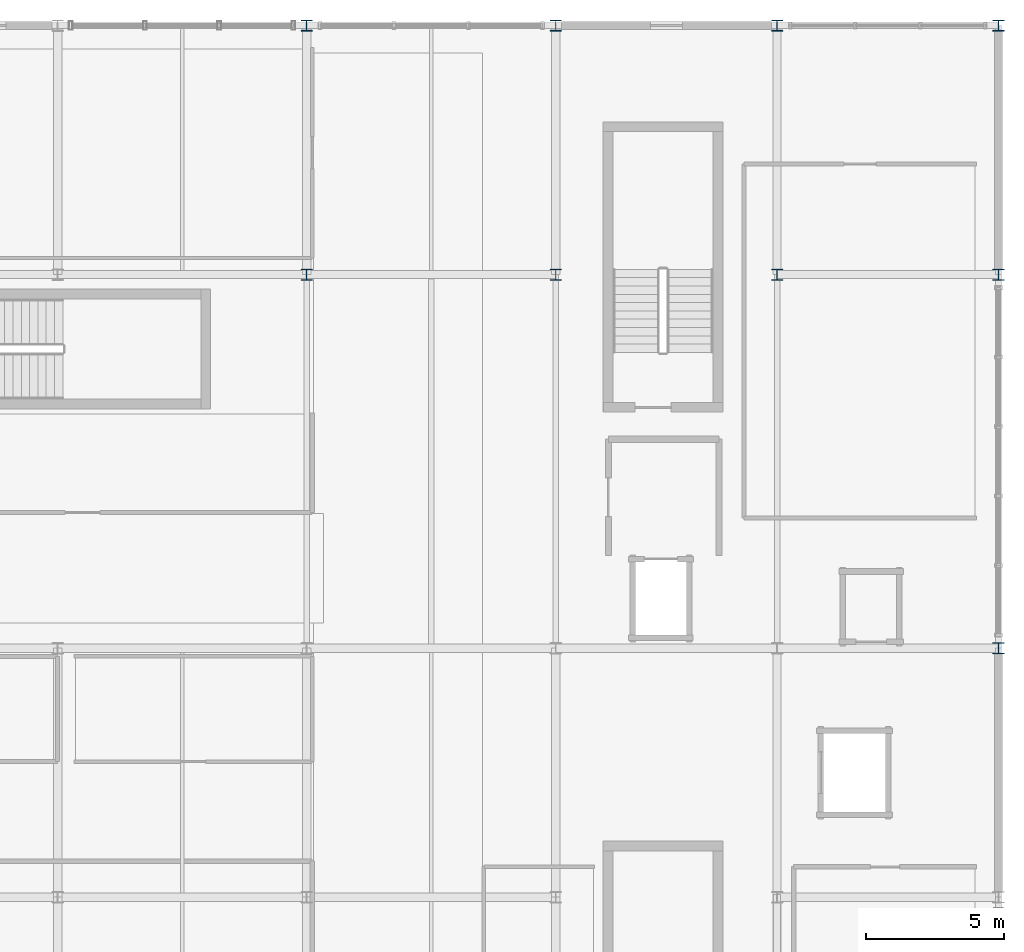
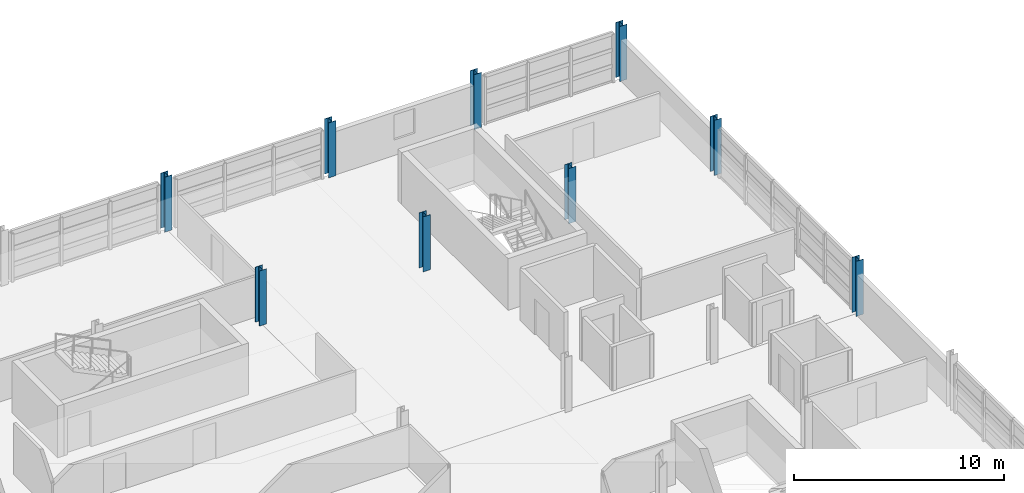
# One storey, part 6 of 86: 9 columns.
"""IFC4 building model written with IfcOpenShell, lengths in metres."""

from ifc_helpers import new_model, si_unit, direction, frame, origin, origin_2d, place, context, subcontext, project, spatial, i_section, extrude, material, material_profile, profile_set, type_object, element, save


model = new_model("IFC4")

# Units and contexts
model_context = context("Model", 3, precision=1e-05, world=origin(), true_north=direction((0.0, 1.0)))
body_context = subcontext(model_context, "Body", "Model", "MODEL_VIEW")
ifc_project = project(units=[si_unit("LENGTHUNIT", "METRE"), si_unit("AREAUNIT", "SQUARE_METRE"), si_unit("VOLUMEUNIT", "CUBIC_METRE"), si_unit("PLANEANGLEUNIT", "RADIAN"), si_unit("MASSUNIT", "GRAM", prefix="KILO")], contexts=[model_context])

# Site, building, storey
site_placement = place(None, origin())
site = spatial("IfcSite", under=ifc_project, at=site_placement, CompositionType="ELEMENT")
building_placement = place(site_placement, origin())
building = spatial("IfcBuilding", under=site, at=building_placement, Name="Chuanluo Vaults Station", CompositionType="ELEMENT")
storey_placement = place(building_placement, frame((0.0, 0.0, 14.39990234375)))
storey = spatial("IfcBuildingStorey", under=building, at=storey_placement, Name="L03", CompositionType="ELEMENT", Elevation=14.39990234375)

# Columns
ifc_material = material(Name="Steel Q355C", Category="steel")
ifc_material_profile = material_profile(ifc_material, i_section(OverallWidth=0.39990234375, OverallDepth=0.39990234375, WebThickness=0.012939453125, FlangeThickness=0.02099609375, FilletRadius=0.02197265625, at=origin_2d()))
ifc_profile_set = profile_set([ifc_material_profile], Name="Steel Q355C")
column_type = type_object("IfcColumnType", Name="COL-STL-HW400", PredefinedType="COLUMN", material=ifc_profile_set)
for number, where, z_axis, x_axis, name in (
    (1, (163.0, 117.0, 0.0), (0.0, 0.0, 1.0), (1.0, 0.0, 0.0), "Column L03-134"),
    (2, (163.0, 126.0, 0.0), (0.0, 0.0, 1.0), (1.0, 0.0, 0.0), "Column L03-135"),
    (3, (172.0, 117.0, 0.0), (0.0, 0.0, 1.0), (1.0, 0.0, 0.0), "Column L03-147"),
    (4, (172.0, 126.0, 0.0), (0.0, 0.0, 1.0), (1.0, 0.0, 0.0), "Column L03-148"),
    (5, (180.0, 117.0, 0.0), (0.0, 0.0, 1.0), (1.0, 0.0, 0.0), "Column L03-160"),
    (6, (180.0, 126.0, 0.0), (0.0, 0.0, 1.0), (1.0, 0.0, 0.0), "Column L03-161"),
    (7, (188.0, 103.5, 0.0), (0.0, 0.0, 1.0), (1.0, 0.0, 0.0), "Column L03-172"),
    (8, (188.0, 117.0, 0.0), (0.0, 0.0, 1.0), (1.0, 0.0, 0.0), "Column L03-173"),
    (9, (188.0, 126.0, 0.0), (0.0, 0.0, 1.0), (1.0, 0.0, 0.0), "Column L03-174"),
):
    element("IfcColumn", number, at=place(storey_placement, frame(where, z_axis=z_axis, x_axis=x_axis)), inside=storey, type_object=column_type, Name=name, PredefinedType="COLUMN", context=body_context, shape_type="SweptSolid", body=[
        extrude(i_section(OverallWidth=0.39990234375, OverallDepth=0.39990234375, WebThickness=0.012939453125, FlangeThickness=0.02099609375, FilletRadius=0.02197265625, at=origin_2d()), origin(), (0.0, 0.0, 1.0), 3.2001953125),
    ])

save(model, "model.ifc")
